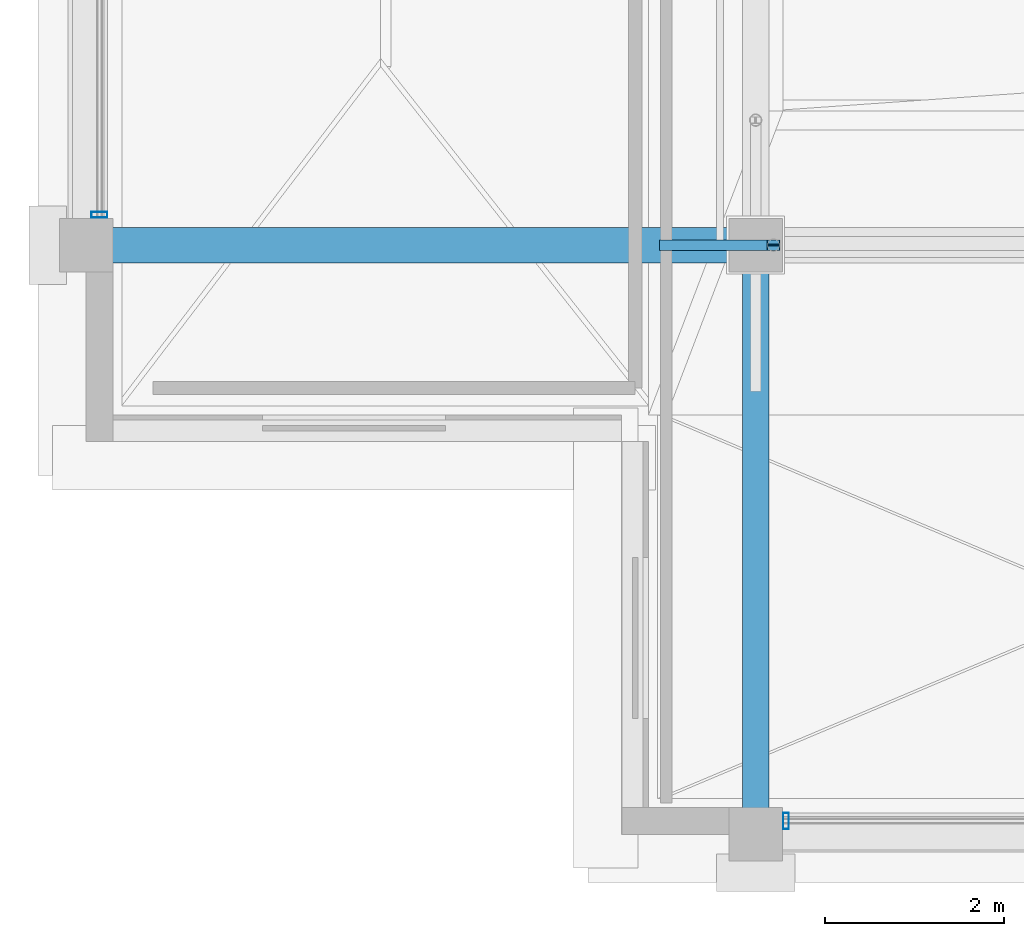
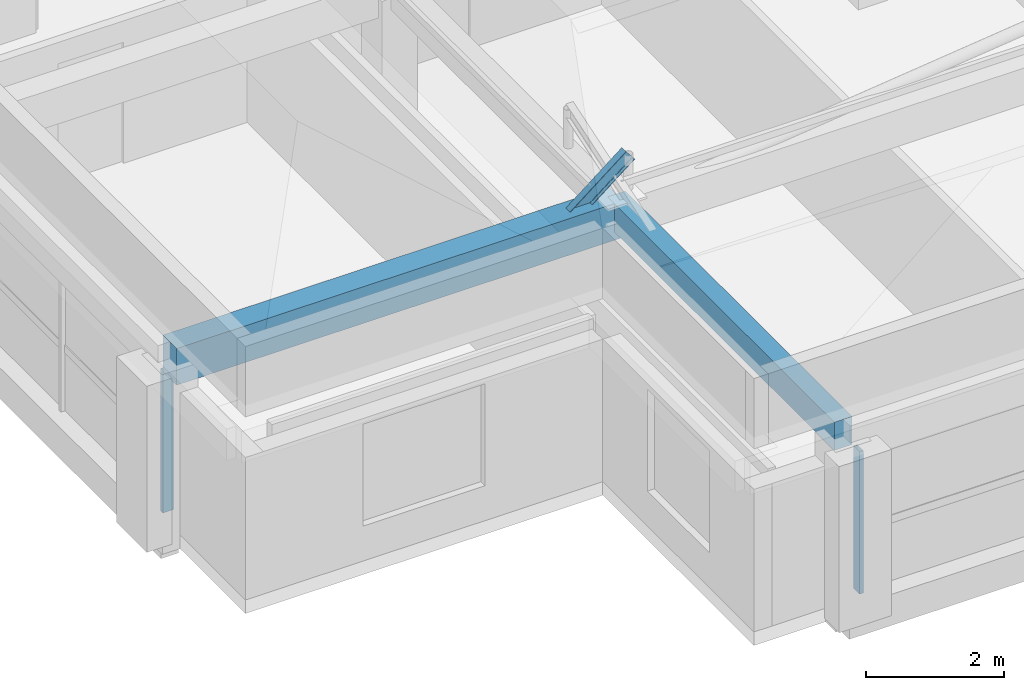
# One storey, part 2 of 39: 3 members, 2 beams, 2 elements without a shape of their own.
"""IFC4 building model written with IfcOpenShell, lengths in metres."""

from ifc_helpers import new_model, si_unit, direction, frame, origin, origin_2d, place, context, subcontext, project, spatial, rectangle, hollow_rectangle, i_section, extrude, material, material_profile, profile_set, type_object, element, aggregate, save


model = new_model("IFC4")

# Units and contexts
model_context = context("Model", 3, precision=1e-05, world=origin(), true_north=direction((0.0, 1.0)))
body_context = subcontext(model_context, "Body", "Model", "MODEL_VIEW")
ifc_project = project(units=[si_unit("LENGTHUNIT", "METRE"), si_unit("AREAUNIT", "SQUARE_METRE"), si_unit("VOLUMEUNIT", "CUBIC_METRE"), si_unit("PLANEANGLEUNIT", "RADIAN"), si_unit("MASSUNIT", "GRAM", prefix="KILO")], contexts=[model_context])

# Site, building, storey
site_placement = place(None, origin())
site = spatial("IfcSite", under=ifc_project, at=site_placement, CompositionType="ELEMENT")
building_placement = place(site_placement, origin())
building = spatial("IfcBuilding", under=site, at=building_placement, Name="Akrevak Sports Hall", CompositionType="ELEMENT")
storey_placement = place(building_placement, frame((0.0, 0.0, 66.550048828125)))
storey = spatial("IfcBuildingStorey", under=building, at=storey_placement, Name="L17", CompositionType="ELEMENT", Elevation=66.550048828125)

# Curtain wall, member
ifc_material_1 = material(Name="Anodized Bronze Aluminium & Low-E Glass", Category="aluminium")
curtain_wall_type = type_object("IfcCurtainWallType", Name="ARC-CW-TWR-68x30", PredefinedType="NOTDEFINED", material=ifc_material_1)
curtain_wall_1_placement = place(storey_placement, origin())
curtain_wall_1 = element("IfcCurtainWall", 1, at=curtain_wall_1_placement, inside=storey, type_object=curtain_wall_type, Name="Curtain Wall CW-L17-S02", PredefinedType="NOTDEFINED")
ifc_material_2 = material(Name="Anodized Bronze Aluminium", Category="aluminium")
ifc_material_profile_1 = material_profile(ifc_material_2, hollow_rectangle(XDim=0.06494140625, YDim=0.179931640625, WallThickness=0.00390625, at=origin_2d()), Name="CWM 65x180", Category="aluminium")
ifc_profile_set_1 = profile_set([ifc_material_profile_1], Name="Anodized Bronze Aluminium")
member_type_1 = type_object("IfcMemberType", Name="ARC-CWM-65x140", PredefinedType="MULLION", material=ifc_profile_set_1)
member_1_placement = place(storey_placement, frame((60.340087890625, 35.550048828125, 0.0), z_axis=(0.0, 0.0, 1.0), x_axis=(1.0, 0.0, 0.0)))
member_1 = element("IfcMember", 2, at=member_1_placement, type_object=member_type_1, Name="Curtain Wall Mullion CW-L17-S02-M1", PredefinedType="MULLION", context=body_context, shape_type="SweptSolid", body=[
    extrude(hollow_rectangle(XDim=0.06494140625, YDim=0.179931640625, WallThickness=0.00390625, at=origin_2d()), origin(), (0.0, 0.0, 1.0), 2.530029296875),
])
aggregate(curtain_wall_1, [member_1])

curtain_wall_2_placement = place(storey_placement, origin())
curtain_wall_2 = element("IfcCurtainWall", 3, at=curtain_wall_2_placement, inside=storey, type_object=curtain_wall_type, Name="Curtain Wall CW-L17-W29", PredefinedType="NOTDEFINED")
member_2_placement = place(storey_placement, frame((52.64990234375, 42.340087890625, 0.0), z_axis=(0.0, 0.0, 1.0), x_axis=(0.0, -1.0, 0.0)))
member_2 = element("IfcMember", 4, at=member_2_placement, type_object=member_type_1, Name="Curtain Wall Mullion CW-L17-W29-M3", PredefinedType="MULLION", context=body_context, shape_type="SweptSolid", body=[
    extrude(hollow_rectangle(XDim=0.06494140625, YDim=0.179931640625, WallThickness=0.00390625, at=origin_2d()), origin(), (0.0, 0.0, 1.0), 2.530029296875),
])
aggregate(curtain_wall_2, [member_2])

# Beams
ifc_material_3 = material(Name="Concrete C40/50", Category="concrete")
ifc_material_profile_2 = material_profile(ifc_material_3, rectangle(XDim=0.300048828125, YDim=0.5, at=origin_2d()), Name="BM 300x500", Category="concrete")
ifc_profile_set_2 = profile_set([ifc_material_profile_2], Name="Concrete C40/50")
beam_type_1 = type_object("IfcBeamType", Name="STR-BM-RC300x500", PredefinedType="BEAM", material=ifc_profile_set_2)
beam_1_placement = place(storey_placement, frame((60.0, 35.39990234375, 3.0), z_axis=(0.0, 1.0, 0.0), x_axis=(-1.0, 0.0, 0.0)))
element("IfcBeam", 5, at=beam_1_placement, inside=storey, type_object=beam_type_1, Name="Girder 9/F-G (ROOF)", PredefinedType="BEAM", context=body_context, shape_type="SweptSolid", body=[
    extrude(rectangle(XDim=0.300048828125, YDim=0.5, at=origin_2d()), origin(), (0.0, 0.0, 1.0), 6.60009765625),
])
ifc_material_profile_3 = material_profile(ifc_material_3, rectangle(XDim=0.39990234375, YDim=0.64990234375, at=origin_2d()), Name="BM 400x650", Category="concrete")
ifc_profile_set_3 = profile_set([ifc_material_profile_3], Name="Concrete C40/50")
beam_type_2 = type_object("IfcBeamType", Name="STR-BM-RC400x650", PredefinedType="BEAM", material=ifc_profile_set_3)
beam_2_placement = place(storey_placement, frame((52.5, 42.0, 2.925048828125), z_axis=(1.0, 0.0, 0.0), x_axis=(0.0, 1.0, 0.0)))
element("IfcBeam", 6, at=beam_2_placement, inside=storey, type_object=beam_type_2, Name="Girder G/8-9 (ROOF)", PredefinedType="BEAM", context=body_context, shape_type="SweptSolid", body=[
    extrude(rectangle(XDim=0.39990234375, YDim=0.64990234375, at=origin_2d()), origin(), (0.0, 0.0, 1.0), 7.5),
])

# Member
ifc_material_4 = material(Name="Steel S355", Category="steel")
ifc_material_profile_4 = material_profile(ifc_material_4, i_section(OverallWidth=0.1201171875, OverallDepth=0.239990234375, WebThickness=0.006103515625, FlangeThickness=0.009765625, FilletRadius=0.014892578125, at=origin_2d()), Name="IPE 240", Category="steel")
ifc_profile_set_4 = profile_set([ifc_material_profile_4], Name="Steel S355")
member_type_2 = type_object("IfcMemberType", Name="STR-MEM-RAF-IPE240", PredefinedType="RAFTER", material=ifc_profile_set_4)
member_3_placement = place(storey_placement, frame((59.0, 42.0, 2.949951171875), z_axis=(0.784049059149, 0.0, 0.620698858423), x_axis=(0.0, 1.0, 0.0)))
element("IfcMember", 7, at=member_3_placement, inside=storey, type_object=member_type_2, Name="Mansard Steel Rafter MANS-W-W-42", PredefinedType="RAFTER", context=body_context, shape_type="SweptSolid", body=[
    extrude(i_section(OverallWidth=0.1201171875, OverallDepth=0.239990234375, WebThickness=0.006103515625, FlangeThickness=0.009765625, FilletRadius=0.014892578125, at=origin_2d()), origin(), (0.0, 0.0, 1.0), 1.530517578125),
])

save(model, "model.ifc")
